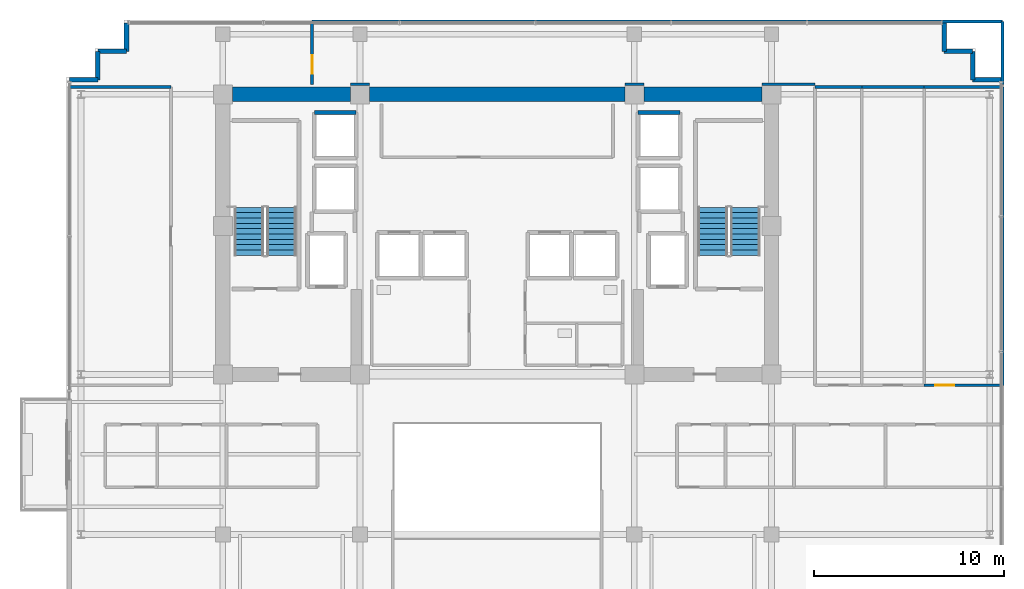
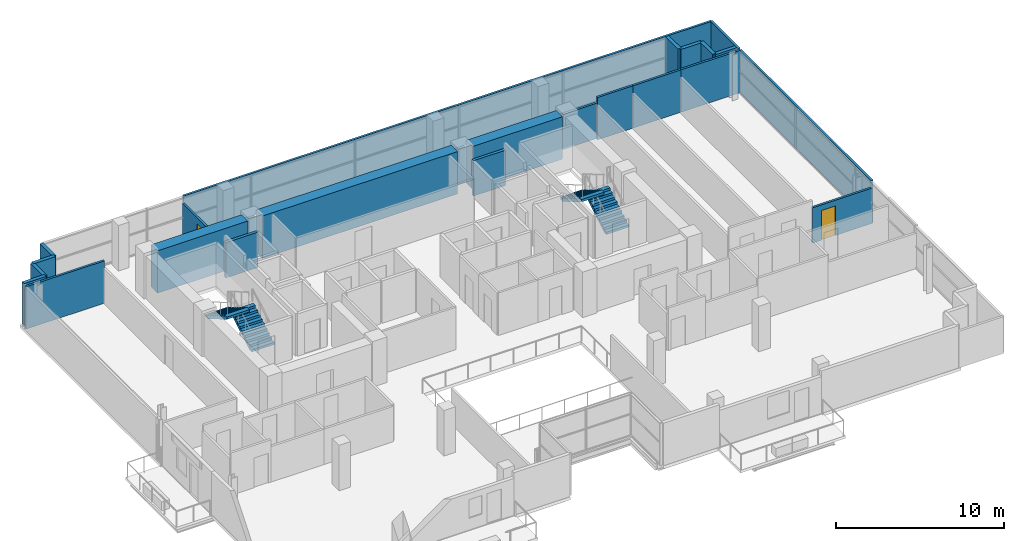
# One storey, part 18 of 21: 25 walls, 4 stair flights, 2 doors, 2 openings, 2 elements without a shape of their own.
"""IFC4 building model written with IfcOpenShell, lengths in metres."""

from ifc_helpers import new_model, si_unit, direction, frame, frame_2d, origin, place, context, subcontext, project, spatial, polyline, rectangle, outline, extrude, source, transform, mapped, material, layer, layer_set, type_object, element, fill, aggregate, save


model = new_model("IFC4")

# Units and contexts
model_context = context("Model", 3, precision=1e-05, world=origin(), true_north=direction((0.0, 1.0)))
body_context = subcontext(model_context, "Body", "Model", "MODEL_VIEW")
ifc_project = project(units=[si_unit("LENGTHUNIT", "METRE"), si_unit("AREAUNIT", "SQUARE_METRE"), si_unit("VOLUMEUNIT", "CUBIC_METRE"), si_unit("PLANEANGLEUNIT", "RADIAN"), si_unit("MASSUNIT", "GRAM", prefix="KILO")], contexts=[model_context])

# Site, building, storey
site_placement = place(None, origin())
site = spatial("IfcSite", under=ifc_project, at=site_placement, CompositionType="ELEMENT")
building_placement = place(site_placement, origin())
building = spatial("IfcBuilding", under=site, at=building_placement, Name="Zarnakvel Exchange Tower", CompositionType="ELEMENT")
storey_placement = place(building_placement, frame((0.0, 0.0, 185.800048828125)))
storey = spatial("IfcBuildingStorey", under=building, at=storey_placement, Name="L52", CompositionType="ELEMENT", Elevation=185.800048828125)

# Walls
ifc_material_1 = material(Name="Concrete C60/75", Category="concrete")
ifc_layer_1 = layer(ifc_material_1, 0.75)
ifc_layer_set_1 = layer_set([ifc_layer_1], Name="Concrete C60/75")
wall_type_1 = type_object("IfcWallType", Name="CW-C3", PredefinedType="SHEAR", material=ifc_layer_set_1)
wall_1_placement = place(storey_placement, frame((-13.89990234375, 13.5, 0.0), z_axis=(0.0, 0.0, 1.0), x_axis=(1.0, 0.0, 0.0)))
element("IfcWall", 1, at=wall_1_placement, inside=storey, type_object=wall_type_1, Name="L52 Rear Core Shear Wall N1 (CW-C3)", PredefinedType="SHEAR", context=body_context, shape_type="SweptSolid", body=[
    extrude(rectangle(XDim=6.199951171875, YDim=0.75, at=frame_2d((3.10009765625, 0.0))), origin(), (0.0, 0.0, 1.0), 3.074951171875),
])
wall_2_placement = place(storey_placement, frame((-6.699951171875, 13.5, 0.0), z_axis=(0.0, 0.0, 1.0), x_axis=(1.0, 0.0, 0.0)))
element("IfcWall", 2, at=wall_2_placement, inside=storey, type_object=wall_type_1, Name="L52 Rear Core Shear Wall N2 (CW-C3)", PredefinedType="SHEAR", context=body_context, shape_type="SweptSolid", body=[
    extrude(rectangle(XDim=13.39990234375, YDim=0.75, at=frame_2d((6.699951171875, 0.0))), origin(), (0.0, 0.0, 1.0), 3.074951171875),
])
wall_3_placement = place(storey_placement, frame((7.699951171875, 13.5, 0.0), z_axis=(0.0, 0.0, 1.0), x_axis=(1.0, 0.0, 0.0)))
element("IfcWall", 3, at=wall_3_placement, inside=storey, type_object=wall_type_1, Name="L52 Rear Core Shear Wall N3 (CW-C3)", PredefinedType="SHEAR", context=body_context, shape_type="SweptSolid", body=[
    extrude(rectangle(XDim=6.199951171875, YDim=0.75, at=frame_2d((3.10009765625, 0.0))), origin(), (0.0, 0.0, 1.0), 3.074951171875),
])
ifc_material_2 = material(Name="Precast concrete C40/50", Category="concrete")
ifc_layer_2 = layer(ifc_material_2, 0.239990234375)
ifc_layer_set_2 = layer_set([ifc_layer_2], Name="Precast concrete C40/50")
wall_type_2 = type_object("IfcWallType", Name="EW-02", PredefinedType="SOLIDWALL", material=ifc_layer_set_2)
for number, where, z_axis, x_axis, name in (
    (4, (-20.9599609375, 14.260009765625, 0.0), (0.0, 0.0, 1.0), (-1.0, 0.0, 0.0), "L52 Exterior Precast Spandrel Wall EWC-L52-03 (EW-02)"),
    (5, (-20.9599609375, 15.760009765625, 0.0), (0.0, 0.0, 1.0), (0.0, -1.0, 0.0), "L52 Exterior Precast Spandrel Wall EWC-L52-04 (EW-02)"),
    (6, (-19.4599609375, 15.760009765625, 0.0), (0.0, 0.0, 1.0), (-1.0, 0.0, 0.0), "L52 Exterior Precast Spandrel Wall EWC-L52-05 (EW-02)"),
    (7, (-19.4599609375, 17.260009765625, 0.0), (0.0, 0.0, 1.0), (0.0, -1.0, 0.0), "L52 Exterior Precast Spandrel Wall EWC-L52-06 (EW-02)"),
    (8, (23.4599609375, 15.760009765625, 0.0), (0.0, 0.0, 1.0), (0.0, 1.0, 0.0), "L52 Exterior Precast Spandrel Wall EWC-L52-07 (EW-02)"),
    (9, (24.9599609375, 15.760009765625, 0.0), (0.0, 0.0, 1.0), (-1.0, 0.0, 0.0), "L52 Exterior Precast Spandrel Wall EWC-L52-08 (EW-02)"),
    (10, (24.9599609375, 14.260009765625, 0.0), (0.0, 0.0, 1.0), (0.0, 1.0, 0.0), "L52 Exterior Precast Spandrel Wall EWC-L52-09 (EW-02)"),
    (11, (26.4599609375, 14.260009765625, 0.0), (0.0, 0.0, 1.0), (-1.0, 0.0, 0.0), "L52 Exterior Precast Spandrel Wall EWC-L52-10 (EW-02)"),
):
    element("IfcWall", number, at=place(storey_placement, frame(where, z_axis=z_axis, x_axis=x_axis)), inside=storey, type_object=wall_type_2, Name=name, PredefinedType="SOLIDWALL", context=body_context, shape_type="SweptSolid", body=[
        extrude(rectangle(XDim=1.5, YDim=0.239990234375, at=frame_2d((0.75, 0.0))), origin(), (0.0, 0.0, 1.0), 3.074951171875),
    ])
ifc_material_3 = material(Name="Fire-Rated Gypsum Stud Partition", Category="gypsum")
ifc_layer_3 = layer(ifc_material_3, 0.14990234375)
ifc_layer_set_3 = layer_set([ifc_layer_3], Name="Fire-Rated Gypsum Stud Partition")
wall_type_3 = type_object("IfcWallType", Name="PT-01", PredefinedType="PARTITIONING", material=ifc_layer_set_3)
wall_4_placement = place(storey_placement, frame((-22.530029296875, 13.8798828125, 0.0), z_axis=(0.0, 0.0, 1.0), x_axis=(1.0, 0.0, 0.0)))
element("IfcWall", 12, at=wall_4_placement, inside=storey, type_object=wall_type_3, Name="L52 Partition Wall PWALL-L52-055 (PT-01)", PredefinedType="PARTITIONING", context=body_context, shape_type="SweptSolid", body=[
    extrude(rectangle(XDim=5.400146484375, YDim=0.14990234375, at=frame_2d((2.7001953125, 0.0))), origin(), (0.0, 0.0, 1.0), 3.074951171875),
])
wall_5_placement = place(storey_placement, frame((16.68994140625, 13.8798828125, 0.0), z_axis=(0.0, 0.0, 1.0), x_axis=(1.0, 0.0, 0.0)))
element("IfcWall", 13, at=wall_5_placement, inside=storey, type_object=wall_type_3, Name="L52 Partition Wall PWALL-L52-059 (PT-01)", PredefinedType="PARTITIONING", context=body_context, shape_type="SweptSolid", body=[
    extrude(rectangle(XDim=2.447998046875, YDim=0.14990234375, at=frame_2d((1.22412109375, 0.0))), origin(), (0.0, 0.0, 1.0), 3.074951171875),
])
wall_6_placement = place(storey_placement, frame((19.137939453125, 13.8798828125, 0.0), z_axis=(0.0, 0.0, 1.0), x_axis=(1.0, 0.0, 0.0)))
element("IfcWall", 14, at=wall_6_placement, inside=storey, type_object=wall_type_3, Name="L52 Partition Wall PWALL-L52-063 (PT-01)", PredefinedType="PARTITIONING", context=body_context, shape_type="SweptSolid", body=[
    extrude(rectangle(XDim=3.280029296875, YDim=0.14990234375, at=frame_2d((1.64013671875, 0.0))), origin(), (0.0, 0.0, 1.0), 3.074951171875),
])

# Wall, opening, door
wall_7_placement = place(storey_placement, frame((26.530029296875, -1.77001953125, 0.0), z_axis=(0.0, 0.0, 1.0), x_axis=(-1.0, 0.0, 0.0)))
wall_7 = element("IfcWall", 15, at=wall_7_placement, inside=storey, type_object=wall_type_3, Name="L52 Partition Wall PWALL-L52-065 (PT-01)", PredefinedType="PARTITIONING", context=body_context, shape_type="SweptSolid", body=[
    extrude(rectangle(XDim=4.112060546875, YDim=0.14990234375, at=frame_2d((2.05615234375, 0.0))), origin(), (0.0, 0.0, 1.0), 2.56494140625),
])
opening_1_placement = place(wall_7_placement, frame((2.541015625, 0.0, 0.0)))
opening_1 = element("IfcOpeningElement", 16, at=opening_1_placement, cuts=wall_7, Name="Opening D-L52-22", PredefinedType="OPENING", context=body_context, shape_type="SweptSolid", body=[
    extrude(rectangle(XDim=0.97998046875, YDim=2.14990234375, at=frame_2d((0.489990234375, 1.074951171875))), frame((0.0, 0.0849609375, 0.0), z_axis=(0.0, -1.0, 0.0), x_axis=(1.0, 0.0, 0.0)), (0.0, 0.0, 1.0), 0.169921875),
])
ifc_material_4 = material(Name="Timber Acoustic Veneer", Category="wood")
door_type = type_object("IfcDoorType", Name="DT-05", OperationType="NOTDEFINED", PredefinedType="DOOR", material=ifc_material_4)
shared_shape = source(origin(), body_context, "Body", "SweptSolid", [
    extrude(rectangle(XDim=0.97998046875, YDim=2.14990234375, at=frame_2d((0.489990234375, 1.074951171875))), frame((0.0, 0.02490234375, 0.0), z_axis=(0.0, -1.0, 0.0), x_axis=(1.0, 0.0, 0.0)), (0.0, 0.0, 1.0), 0.050048828125),
])
door_1_placement = place(opening_1_placement, origin())
door_1 = element("IfcDoor", 17, at=door_1_placement, inside=storey, type_object=door_type, Name="L52 Equities Trading Floor Door D-L52-22", OperationType="SINGLE_SWING_LEFT", OverallHeight=2.14990234375, OverallWidth=0.97998046875, PredefinedType="DOOR", context=body_context, shape_type="MappedRepresentation", body=[
    mapped(shared_shape, transform((0.0, 0.0, 0.0), x_axis=(1.0, 0.0, 0.0), y_axis=(0.0, 1.0, 0.0), z_axis=(0.0, 0.0, 1.0), scale=1.0)),
])
fill(opening_1, door_1)

# Walls
wall_8_placement = place(storey_placement, frame((22.41796875, 13.8798828125, 0.0), z_axis=(0.0, 0.0, 1.0), x_axis=(1.0, 0.0, 0.0)))
element("IfcWall", 18, at=wall_8_placement, inside=storey, type_object=wall_type_3, Name="L52 Partition Wall PWALL-L52-066 (PT-01)", PredefinedType="PARTITIONING", context=body_context, shape_type="SweptSolid", body=[
    extrude(rectangle(XDim=4.112060546875, YDim=0.14990234375, at=frame_2d((2.05615234375, 0.0))), origin(), (0.0, 0.0, 1.0), 3.074951171875),
])
wall_9_placement = place(storey_placement, frame((26.530029296875, 13.8798828125, 0.0), z_axis=(0.0, 0.0, 1.0), x_axis=(0.0, -1.0, 0.0)))
element("IfcWall", 19, at=wall_9_placement, inside=storey, type_object=wall_type_3, Name="L52 Partition Wall PWALL-L52-067 (PT-01)", PredefinedType="PARTITIONING", context=body_context, shape_type="SweptSolid", body=[
    extrude(rectangle(XDim=15.64990234375, YDim=0.14990234375, at=frame_2d((7.824951171875, 0.0))), origin(), (0.0, 0.0, 1.0), 3.074951171875),
])
for number, where, z_axis, x_axis, name in (
    (20, (-6.699951171875, 14.030029296875, 0.0), (0.0, 0.0, 1.0), (-1.0, 0.0, 0.0), "L52 Partition Wall PWALL-L52-068 (PT-01)"),
    (21, (7.699951171875, 14.030029296875, 0.0), (0.0, 0.0, 1.0), (-1.0, 0.0, 0.0), "L52 Partition Wall PWALL-L52-069 (PT-01)"),
):
    element("IfcWall", number, at=place(storey_placement, frame(where, z_axis=z_axis, x_axis=x_axis)), inside=storey, type_object=wall_type_3, Name=name, PredefinedType="PARTITIONING", context=body_context, shape_type="SweptSolid", body=[
        extrude(rectangle(XDim=1.0, YDim=0.14990234375, at=frame_2d((0.5, 0.0))), origin(), (0.0, 0.0, 1.0), 2.56494140625),
    ])
wall_10_placement = place(storey_placement, frame((16.68994140625, 14.030029296875, 0.0), z_axis=(0.0, 0.0, 1.0), x_axis=(-1.0, 0.0, 0.0)))
element("IfcWall", 22, at=wall_10_placement, inside=storey, type_object=wall_type_3, Name="L52 Partition Wall PWALL-L52-070 (PT-01)", PredefinedType="PARTITIONING", context=body_context, shape_type="SweptSolid", body=[
    extrude(rectangle(XDim=2.7900390625, YDim=0.14990234375, at=frame_2d((1.39501953125, 0.0))), origin(), (0.0, 0.0, 1.0), 2.56494140625),
])
wall_11_placement = place(storey_placement, frame((-9.719970703125, 17.330078125, 0.0), z_axis=(0.0, 0.0, 1.0), x_axis=(1.0, 0.0, 0.0)))
element("IfcWall", 23, at=wall_11_placement, inside=storey, type_object=wall_type_3, Name="L52 Partition Wall PWALL-L52-071 (PT-01)", PredefinedType="PARTITIONING", context=body_context, shape_type="SweptSolid", body=[
    extrude(rectangle(XDim=36.25, YDim=0.14990234375, at=frame_2d((18.125, 0.0))), origin(), (0.0, 0.0, 1.0), 3.074951171875),
])

# Wall, opening, door
wall_12_placement = place(storey_placement, frame((-9.719970703125, 14.030029296875, 0.0), z_axis=(0.0, 0.0, 1.0), x_axis=(0.0, 1.0, 0.0)))
wall_12 = element("IfcWall", 24, at=wall_12_placement, inside=storey, type_object=wall_type_3, Name="L52 Partition Wall PWALL-L52-072 (PT-01)", PredefinedType="PARTITIONING", context=body_context, shape_type="SweptSolid", body=[
    extrude(rectangle(XDim=3.300048828125, YDim=0.14990234375, at=frame_2d((1.64990234375, 0.0))), origin(), (0.0, 0.0, 1.0), 2.56494140625),
])
opening_2_placement = place(wall_12_placement, frame((0.550048828125, 0.0, 0.0)))
opening_2 = element("IfcOpeningElement", 25, at=opening_2_placement, cuts=wall_12, Name="Opening D-L52-23", PredefinedType="OPENING", context=body_context, shape_type="SweptSolid", body=[
    extrude(rectangle(XDim=0.97998046875, YDim=2.14990234375, at=frame_2d((0.489990234375, 1.074951171875))), frame((0.0, 0.0849609375, 0.0), z_axis=(0.0, -1.0, 0.0), x_axis=(1.0, 0.0, 0.0)), (0.0, 0.0, 1.0), 0.169921875),
])
door_2_placement = place(opening_2_placement, origin())
door_2 = element("IfcDoor", 26, at=door_2_placement, inside=storey, type_object=door_type, Name="L52 Risk Analytics Suite Door D-L52-23", OperationType="SINGLE_SWING_RIGHT", OverallHeight=2.14990234375, OverallWidth=0.97998046875, PredefinedType="DOOR", context=body_context, shape_type="MappedRepresentation", body=[
    mapped(shared_shape, transform((0.0, 0.0, 0.0), x_axis=(1.0, 0.0, 0.0), y_axis=(0.0, 1.0, 0.0), z_axis=(0.0, 0.0, 1.0), scale=1.0)),
])
fill(opening_2, door_2)

# Walls
wall_13_placement = place(storey_placement, frame((26.530029296875, 17.330078125, 0.0), z_axis=(0.0, 0.0, 1.0), x_axis=(0.0, -1.0, 0.0)))
element("IfcWall", 27, at=wall_13_placement, inside=storey, type_object=wall_type_3, Name="L52 Partition Wall PWALL-L52-073 (PT-01)", PredefinedType="PARTITIONING", context=body_context, shape_type="SweptSolid", body=[
    extrude(rectangle(XDim=3.300048828125, YDim=0.14990234375, at=frame_2d((1.64990234375, 0.0))), origin(), (0.0, 0.0, 1.0), 3.074951171875),
])
ifc_material_5 = material(Name="Concrete C40/50", Category="concrete")
ifc_layer_4 = layer(ifc_material_5, 0.199951171875)
ifc_layer_set_4 = layer_set([ifc_layer_4], Name="Concrete C40/50")
wall_type_4 = type_object("IfcWallType", Name="SW-01", PredefinedType="SOLIDWALL", material=ifc_layer_set_4)
for number, where, z_axis, x_axis, name in (
    (28, (-9.60009765625, 12.550048828125, 0.0), (0.0, 0.0, 1.0), (1.0, 0.0, 0.0), "L52 PL-10 Hoistway Wall North"),
    (29, (7.39990234375, 12.550048828125, 0.0), (0.0, 0.0, 1.0), (1.0, 0.0, 0.0), "L52 PL-12 Hoistway Wall North"),
):
    element("IfcWall", number, at=place(storey_placement, frame(where, z_axis=z_axis, x_axis=x_axis)), inside=storey, type_object=wall_type_4, Name=name, PredefinedType="SOLIDWALL", context=body_context, shape_type="SweptSolid", body=[
        extrude(rectangle(XDim=2.2001953125, YDim=0.199951171875, at=frame_2d((1.10009765625, 0.0))), origin(), (0.0, 0.0, 1.0), 2.56494140625),
    ])

# Stair, stair flights
stair_type = type_object("IfcStairType", Name="STR-01", PredefinedType="HALF_TURN_STAIR", material=ifc_material_5)
stair_1_placement = place(storey_placement, origin())
stair_1 = element("IfcStair", 30, at=stair_1_placement, inside=storey, type_object=stair_type, Name="L52 Protected Core Exit Stair ST-01", PredefinedType="HALF_TURN_STAIR")
stair_flight_type = type_object("IfcStairFlightType", Name="FLT-01", PredefinedType="STRAIGHT", material=ifc_material_5)
stair_flight_1_placement = place(storey_placement, frame((-11.31494140625, 5.050048828125, 0.0), z_axis=(0.0, 0.0, 1.0), x_axis=(0.0, 1.0, 0.0)))
stair_flight_1 = element("IfcStairFlight", 31, at=stair_flight_1_placement, type_object=stair_flight_type, Name="ST-01 flight 1", NumberOfRisers=10, NumberOfTreads=9, PredefinedType="STRAIGHT", RiserHeight=0.165, TreadLength=0.28, context=body_context, shape_type="SweptSolid", body=[
    extrude(outline(polyline([(0.0, 0.0), (0.0, 0.1650390625), (0.280029296875, 0.1650390625), (0.280029296875, 0.330078125), (0.56005859375, 0.330078125), (0.56005859375, 0.4951171875), (0.840087890625, 0.4951171875), (0.840087890625, 0.659912109375), (1.1201171875, 0.659912109375), (1.1201171875, 0.824951171875), (1.39990234375, 0.824951171875), (1.39990234375, 0.989990234375), (1.679931640625, 0.989990234375), (1.679931640625, 1.155029296875), (1.9599609375, 1.155029296875), (1.9599609375, 1.320068359375), (2.239990234375, 1.320068359375), (2.239990234375, 1.485107421875), (2.52001953125, 1.485107421875), (2.52001953125, 1.64990234375), (2.52001953125, 1.31103515625), (0.295166015625, 0.0), (0.0, 0.0)])), frame((0.0, 0.77490234375, 0.0), z_axis=(0.0, -1.0, 0.0), x_axis=(1.0, 0.0, 0.0)), (0.0, 0.0, 1.0), 1.550048828125),
])
stair_flight_2_placement = place(storey_placement, frame((-13.02490234375, 7.570068359375, 1.64990234375), z_axis=(0.0, 0.0, 1.0), x_axis=(0.0, -1.0, 0.0)))
stair_flight_2 = element("IfcStairFlight", 32, at=stair_flight_2_placement, type_object=stair_flight_type, Name="ST-01 flight 2", NumberOfRisers=10, NumberOfTreads=9, PredefinedType="STRAIGHT", RiserHeight=0.165, TreadLength=0.28, context=body_context, shape_type="SweptSolid", body=[
    extrude(outline(polyline([(0.0, 0.0), (0.0, 0.1650390625), (0.280029296875, 0.1650390625), (0.280029296875, 0.330078125), (0.56005859375, 0.330078125), (0.56005859375, 0.4951171875), (0.840087890625, 0.4951171875), (0.840087890625, 0.659912109375), (1.1201171875, 0.659912109375), (1.1201171875, 0.824951171875), (1.39990234375, 0.824951171875), (1.39990234375, 0.989990234375), (1.679931640625, 0.989990234375), (1.679931640625, 1.155029296875), (1.9599609375, 1.155029296875), (1.9599609375, 1.320068359375), (2.239990234375, 1.320068359375), (2.239990234375, 1.485107421875), (2.52001953125, 1.485107421875), (2.52001953125, 1.64990234375), (2.52001953125, 1.31103515625), (0.295166015625, 0.0), (0.0, 0.0)])), frame((0.0, 0.77490234375, 0.0), z_axis=(0.0, -1.0, 0.0), x_axis=(1.0, 0.0, 0.0)), (0.0, 0.0, 1.0), 1.550048828125),
])
aggregate(stair_1, [stair_flight_1, stair_flight_2])

stair_2_placement = place(storey_placement, origin())
stair_2 = element("IfcStair", 33, at=stair_2_placement, inside=storey, type_object=stair_type, Name="L52 Protected Core Exit Stair ST-02", PredefinedType="HALF_TURN_STAIR")
stair_flight_3_placement = place(storey_placement, frame((13.02490234375, 5.050048828125, 0.0), z_axis=(0.0, 0.0, 1.0), x_axis=(0.0, 1.0, 0.0)))
stair_flight_3 = element("IfcStairFlight", 34, at=stair_flight_3_placement, type_object=stair_flight_type, Name="ST-02 flight 1", NumberOfRisers=10, NumberOfTreads=9, PredefinedType="STRAIGHT", RiserHeight=0.165, TreadLength=0.28, context=body_context, shape_type="SweptSolid", body=[
    extrude(outline(polyline([(0.0, 0.0), (0.0, 0.1650390625), (0.280029296875, 0.1650390625), (0.280029296875, 0.330078125), (0.56005859375, 0.330078125), (0.56005859375, 0.4951171875), (0.840087890625, 0.4951171875), (0.840087890625, 0.659912109375), (1.1201171875, 0.659912109375), (1.1201171875, 0.824951171875), (1.39990234375, 0.824951171875), (1.39990234375, 0.989990234375), (1.679931640625, 0.989990234375), (1.679931640625, 1.155029296875), (1.9599609375, 1.155029296875), (1.9599609375, 1.320068359375), (2.239990234375, 1.320068359375), (2.239990234375, 1.485107421875), (2.52001953125, 1.485107421875), (2.52001953125, 1.64990234375), (2.52001953125, 1.31103515625), (0.295166015625, 0.0), (0.0, 0.0)])), frame((0.0, 0.77490234375, 0.0), z_axis=(0.0, -1.0, 0.0), x_axis=(1.0, 0.0, 0.0)), (0.0, 0.0, 1.0), 1.550048828125),
])
stair_flight_4_placement = place(storey_placement, frame((11.31494140625, 7.570068359375, 1.64990234375), z_axis=(0.0, 0.0, 1.0), x_axis=(0.0, -1.0, 0.0)))
stair_flight_4 = element("IfcStairFlight", 35, at=stair_flight_4_placement, type_object=stair_flight_type, Name="ST-02 flight 2", NumberOfRisers=10, NumberOfTreads=9, PredefinedType="STRAIGHT", RiserHeight=0.165, TreadLength=0.28, context=body_context, shape_type="SweptSolid", body=[
    extrude(outline(polyline([(0.0, 0.0), (0.0, 0.1650390625), (0.280029296875, 0.1650390625), (0.280029296875, 0.330078125), (0.56005859375, 0.330078125), (0.56005859375, 0.4951171875), (0.840087890625, 0.4951171875), (0.840087890625, 0.659912109375), (1.1201171875, 0.659912109375), (1.1201171875, 0.824951171875), (1.39990234375, 0.824951171875), (1.39990234375, 0.989990234375), (1.679931640625, 0.989990234375), (1.679931640625, 1.155029296875), (1.9599609375, 1.155029296875), (1.9599609375, 1.320068359375), (2.239990234375, 1.320068359375), (2.239990234375, 1.485107421875), (2.52001953125, 1.485107421875), (2.52001953125, 1.64990234375), (2.52001953125, 1.31103515625), (0.295166015625, 0.0), (0.0, 0.0)])), frame((0.0, 0.77490234375, 0.0), z_axis=(0.0, -1.0, 0.0), x_axis=(1.0, 0.0, 0.0)), (0.0, 0.0, 1.0), 1.550048828125),
])
aggregate(stair_2, [stair_flight_3, stair_flight_4])

save(model, "model.ifc")
